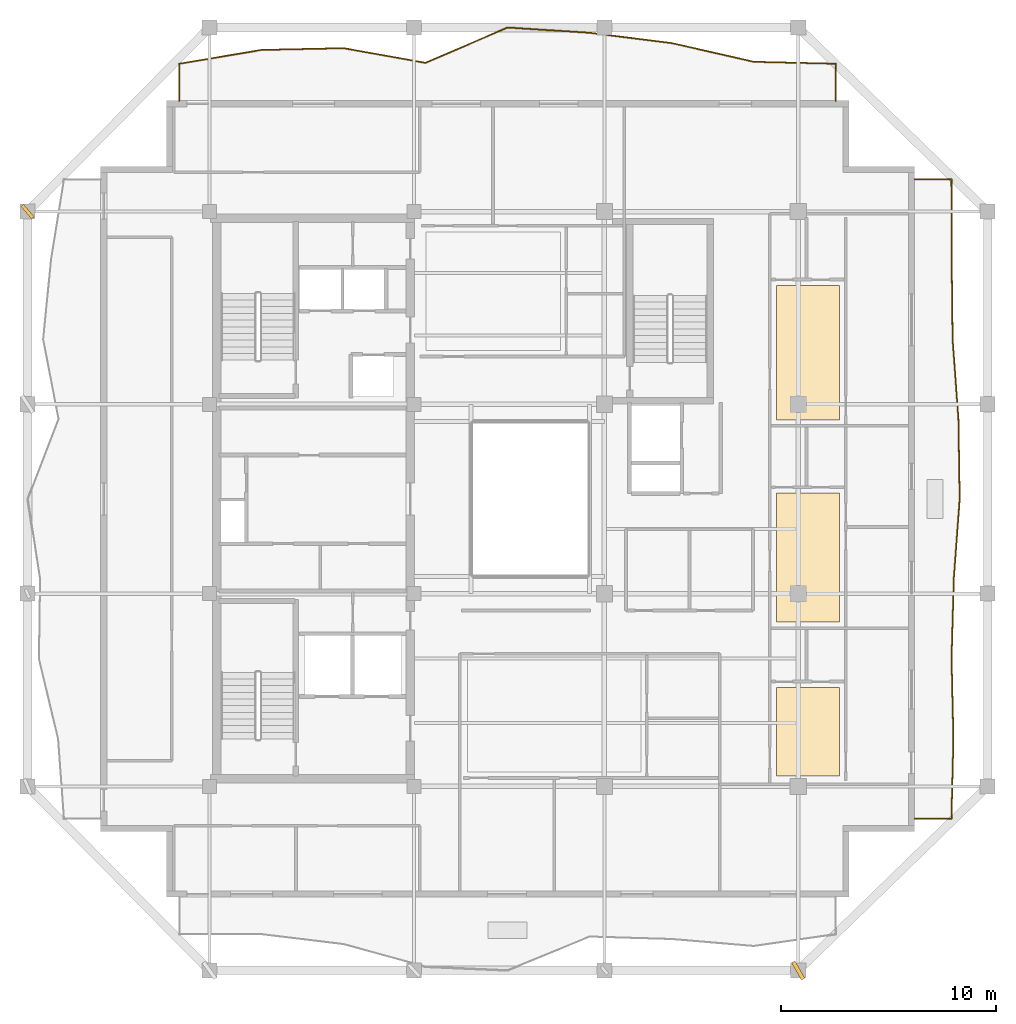
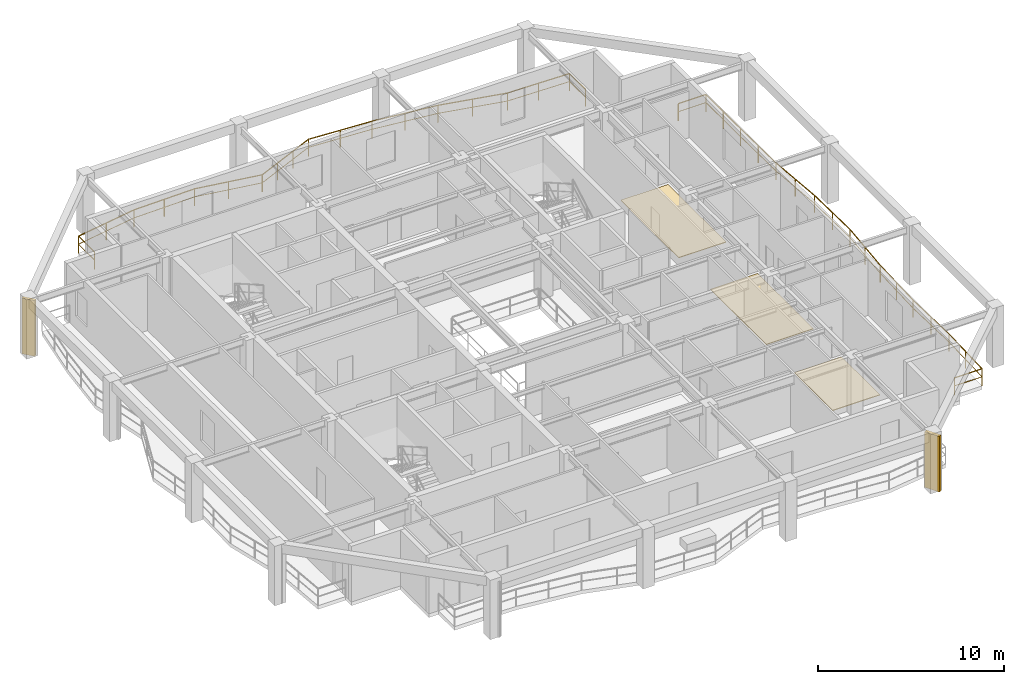
# One storey, part 9 of 10: 3 coverings, 2 railings, 2 shading devices.
"""IFC4 building model written with IfcOpenShell, lengths in metres."""

from ifc_helpers import new_model, si_unit, direction, frame, origin, origin_2d, place, context, subcontext, project, spatial, polyline, rectangle, outline, extrude, material, layer, layer_set, type_object, element, save


model = new_model("IFC4")

# Units and contexts
model_context = context("Model", 3, precision=1e-05, world=origin(), true_north=direction((0.0, 1.0)))
body_context = subcontext(model_context, "Body", "Model", "MODEL_VIEW")
ifc_project = project(units=[si_unit("LENGTHUNIT", "METRE"), si_unit("AREAUNIT", "SQUARE_METRE"), si_unit("VOLUMEUNIT", "CUBIC_METRE"), si_unit("PLANEANGLEUNIT", "RADIAN"), si_unit("MASSUNIT", "GRAM", prefix="KILO")], contexts=[model_context])

# Site, building, storey
site_placement = place(None, origin())
site = spatial("IfcSite", under=ifc_project, at=site_placement, CompositionType="ELEMENT")
building_placement = place(site_placement, origin())
building = spatial("IfcBuilding", under=site, at=building_placement, Name="Kundavana Baori Tower", CompositionType="ELEMENT")
storey_placement = place(building_placement, frame((0.0, 0.0, 284.300048828125)))
storey = spatial("IfcBuildingStorey", under=building, at=storey_placement, Name="L70", CompositionType="ELEMENT", Elevation=284.300048828125)

# Coverings
ifc_material_1 = material(Name="Honed Kota Stone and Terrazzo Flooring", Category="masonry")
ifc_layer = layer(ifc_material_1, 0.0400390625, Name="COV-FLR-TERR-40")
ifc_layer_set = layer_set([ifc_layer], Name="Honed Kota Stone and Terrazzo Flooring")
covering_type = type_object("IfcCoveringType", Name="COV-FLR-TERR-40", PredefinedType="FLOORING", material=ifc_layer_set)
covering_1_placement = place(storey_placement, origin())
element("IfcCovering", 1, at=covering_1_placement, inside=storey, type_object=covering_type, Name="L70 Room Finished Stone Flooring 3", PredefinedType="FLOORING", context=body_context, shape_type="SweptSolid", body=[
    extrude(outline(polyline([(41.780029296875, 15.72998046875), (44.719970703125, 15.72998046875), (44.719970703125, 19.840087890625), (41.780029296875, 19.840087890625), (41.780029296875, 15.72998046875)])), origin(), (0.0, 0.0, 1.0), 0.0400390625),
])
covering_2_placement = place(storey_placement, origin())
element("IfcCovering", 2, at=covering_2_placement, inside=storey, type_object=covering_type, Name="L70 Room Finished Stone Flooring 4", PredefinedType="FLOORING", context=body_context, shape_type="SweptSolid", body=[
    extrude(outline(polyline([(41.780029296875, 22.8798828125), (44.719970703125, 22.8798828125), (44.719970703125, 28.8701171875), (41.780029296875, 28.8701171875), (41.780029296875, 22.8798828125)])), origin(), (0.0, 0.0, 1.0), 0.0400390625),
])
covering_3_placement = place(storey_placement, origin())
element("IfcCovering", 3, at=covering_3_placement, inside=storey, type_object=covering_type, Name="L70 Room Finished Stone Flooring 5", PredefinedType="FLOORING", context=body_context, shape_type="SweptSolid", body=[
    extrude(outline(polyline([(41.780029296875, 32.280029296875), (44.719970703125, 32.280029296875), (44.719970703125, 38.510009765625), (41.780029296875, 38.510009765625), (41.780029296875, 32.280029296875)])), origin(), (0.0, 0.0, 1.0), 0.0400390625),
])

# Railings
ifc_material_2 = material(Name="Architectural Patinated Bronze Metalwork")
railing_type = type_object("IfcRailingType", Name="RL-BAL-1150", PredefinedType="BALUSTRADE", material=ifc_material_2)
railing_1_placement = place(storey_placement, frame((48.199951171875, 43.449951171875, 0.0)))
element("IfcRailing", 4, at=railing_1_placement, inside=storey, type_object=railing_type, Name="L70 Loggia Balcony Balustrade E", PredefinedType="BALUSTRADE", context=body_context, shape_type="SweptSolid", body=[
    extrude(rectangle(XDim=0.048095703125, YDim=0.048095703125, at=origin_2d()), frame((0.0, 0.0, 1.1259765625), z_axis=(1.0, 0.0, 0.0), x_axis=(0.0, 1.0, 0.0)), (0.0, 0.0, 1.0), 1.719970703125),
    extrude(rectangle(XDim=0.03125, YDim=0.03125, at=origin_2d()), frame((0.0, 0.0, 0.597900390625), z_axis=(1.0, 0.0, 0.0), x_axis=(0.0, 1.0, 0.0)), (0.0, 0.0, 1.0), 1.719970703125),
    extrude(rectangle(XDim=0.048095703125, YDim=0.048095703125, at=origin_2d()), frame((1.719970703125, 0.0, 1.1259765625), z_axis=(0.002959734471, -0.999995619976, 0.0), x_axis=(0.999995619976, 0.002959734471, 0.0)), (0.0, 0.0, 1.0), 3.7119140625),
    extrude(rectangle(XDim=0.03125, YDim=0.03125, at=origin_2d()), frame((1.719970703125, 0.0, 0.597900390625), z_axis=(0.002959734471, -0.999995619976, 0.0), x_axis=(0.999995619976, 0.002959734471, 0.0)), (0.0, 0.0, 1.0), 3.7119140625),
    extrude(rectangle(XDim=0.048095703125, YDim=0.048095703125, at=origin_2d()), frame((1.73095703125, -3.7119140625, 1.1259765625), z_axis=(0.011900005512, -0.999929192428, 0.0), x_axis=(0.999929192428, 0.011900005512, 0.0)), (0.0, 0.0, 1.0), 3.71337890625),
    extrude(rectangle(XDim=0.03125, YDim=0.03125, at=origin_2d()), frame((1.73095703125, -3.7119140625, 0.597900390625), z_axis=(0.011900005512, -0.999929192428, 0.0), x_axis=(0.999929192428, 0.011900005512, 0.0)), (0.0, 0.0, 1.0), 3.71337890625),
    extrude(rectangle(XDim=0.048095703125, YDim=0.048095703125, at=origin_2d()), frame((1.775146484375, -7.425048828125, 1.1259765625), z_axis=(0.072533323538, -0.997365989483, 0.0), x_axis=(0.997365989483, 0.072533323538, 0.0)), (0.0, 0.0, 1.0), 3.72265625),
    extrude(rectangle(XDim=0.03125, YDim=0.03125, at=origin_2d()), frame((1.775146484375, -7.425048828125, 0.597900390625), z_axis=(0.072533323538, -0.997365989483, 0.0), x_axis=(0.997365989483, 0.072533323538, 0.0)), (0.0, 0.0, 1.0), 3.72265625),
    extrude(rectangle(XDim=0.048095703125, YDim=0.048095703125, at=origin_2d()), frame((2.045166015625, -11.137939453125, 1.1259765625), z_axis=(0.015849100843, -0.999874395113, 0.0), x_axis=(0.999874395113, 0.015849100843, 0.0)), (0.0, 0.0, 1.0), 3.71240234375),
    extrude(rectangle(XDim=0.03125, YDim=0.03125, at=origin_2d()), frame((2.045166015625, -11.137939453125, 0.597900390625), z_axis=(0.015849100843, -0.999874395113, 0.0), x_axis=(0.999874395113, 0.015849100843, 0.0)), (0.0, 0.0, 1.0), 3.71240234375),
    extrude(rectangle(XDim=0.048095703125, YDim=0.048095703125, at=origin_2d()), frame((2.10400390625, -14.849853515625, 1.1259765625), z_axis=(-0.073591428383, -0.997288474649, 0.0), x_axis=(0.997288474649, -0.073591428383, 0.0)), (0.0, 0.0, 1.0), 3.72216796875),
    extrude(rectangle(XDim=0.03125, YDim=0.03125, at=origin_2d()), frame((2.10400390625, -14.849853515625, 0.597900390625), z_axis=(-0.073591428383, -0.997288474649, 0.0), x_axis=(0.997288474649, -0.073591428383, 0.0)), (0.0, 0.0, 1.0), 3.72216796875),
    extrude(rectangle(XDim=0.048095703125, YDim=0.048095703125, at=origin_2d()), frame((1.830078125, -18.56201171875, 1.1259765625), z_axis=(-0.028000589704, -0.99960790662, 0.0), x_axis=(0.99960790662, -0.028000589704, 0.0)), (0.0, 0.0, 1.0), 3.71435546875),
    extrude(rectangle(XDim=0.03125, YDim=0.03125, at=origin_2d()), frame((1.830078125, -18.56201171875, 0.597900390625), z_axis=(-0.028000589704, -0.99960790662, 0.0), x_axis=(0.99960790662, -0.028000589704, 0.0)), (0.0, 0.0, 1.0), 3.71435546875),
    extrude(rectangle(XDim=0.048095703125, YDim=0.048095703125, at=origin_2d()), frame((1.72607421875, -22.27490234375, 1.1259765625), z_axis=(0.023137994794, -0.999732280762, 0.0), x_axis=(0.999732280762, 0.023137994794, 0.0)), (0.0, 0.0, 1.0), 3.714111328125),
    extrude(rectangle(XDim=0.03125, YDim=0.03125, at=origin_2d()), frame((1.72607421875, -22.27490234375, 0.597900390625), z_axis=(0.023137994794, -0.999732280762, 0.0), x_axis=(0.999732280762, 0.023137994794, 0.0)), (0.0, 0.0, 1.0), 3.714111328125),
    extrude(rectangle(XDim=0.048095703125, YDim=0.048095703125, at=origin_2d()), frame((1.81201171875, -25.988037109375, 1.1259765625), z_axis=(-0.024788486897, -0.999692718248, 0.0), x_axis=(0.999692718248, -0.024788486897, 0.0)), (0.0, 0.0, 1.0), 3.713134765625),
    extrude(rectangle(XDim=0.03125, YDim=0.03125, at=origin_2d()), frame((1.81201171875, -25.988037109375, 0.597900390625), z_axis=(-0.024788486897, -0.999692718248, 0.0), x_axis=(0.999692718248, -0.024788486897, 0.0)), (0.0, 0.0, 1.0), 3.713134765625),
    extrude(rectangle(XDim=0.048095703125, YDim=0.048095703125, at=origin_2d()), frame((1.719970703125, -29.699951171875, 1.1259765625), z_axis=(-1.0, 0.0, 0.0), x_axis=(0.0, -1.0, 0.0)), (0.0, 0.0, 1.0), 1.719970703125),
    extrude(rectangle(XDim=0.03125, YDim=0.03125, at=origin_2d()), frame((1.719970703125, -29.699951171875, 0.597900390625), z_axis=(-1.0, 0.0, 0.0), x_axis=(0.0, -1.0, 0.0)), (0.0, 0.0, 1.0), 1.719970703125),
    extrude(rectangle(XDim=0.0419921875, YDim=0.0419921875, at=origin_2d()), origin(), (0.0, 0.0, 1.0), 1.101806640625),
    extrude(rectangle(XDim=0.0419921875, YDim=0.0419921875, at=origin_2d()), frame((1.719970703125, 0.0, 0.0)), (0.0, 0.0, 1.0), 1.101806640625),
    extrude(rectangle(XDim=0.0419921875, YDim=0.0419921875, at=origin_2d()), frame((1.7255859375, -1.85595703125, 0.0)), (0.0, 0.0, 1.0), 1.101806640625),
    extrude(rectangle(XDim=0.0419921875, YDim=0.0419921875, at=origin_2d()), frame((1.73095703125, -3.7119140625, 0.0)), (0.0, 0.0, 1.0), 1.101806640625),
    extrude(rectangle(XDim=0.0419921875, YDim=0.0419921875, at=origin_2d()), frame((1.7529296875, -5.568359375, 0.0)), (0.0, 0.0, 1.0), 1.101806640625),
    extrude(rectangle(XDim=0.0419921875, YDim=0.0419921875, at=origin_2d()), frame((1.775146484375, -7.425048828125, 0.0)), (0.0, 0.0, 1.0), 1.101806640625),
    extrude(rectangle(XDim=0.0419921875, YDim=0.0419921875, at=origin_2d()), frame((1.91015625, -9.281494140625, 0.0)), (0.0, 0.0, 1.0), 1.101806640625),
    extrude(rectangle(XDim=0.0419921875, YDim=0.0419921875, at=origin_2d()), frame((2.045166015625, -11.137939453125, 0.0)), (0.0, 0.0, 1.0), 1.101806640625),
    extrude(rectangle(XDim=0.0419921875, YDim=0.0419921875, at=origin_2d()), frame((2.07470703125, -12.993896484375, 0.0)), (0.0, 0.0, 1.0), 1.101806640625),
    extrude(rectangle(XDim=0.0419921875, YDim=0.0419921875, at=origin_2d()), frame((2.10400390625, -14.849853515625, 0.0)), (0.0, 0.0, 1.0), 1.101806640625),
    extrude(rectangle(XDim=0.0419921875, YDim=0.0419921875, at=origin_2d()), frame((1.967041015625, -16.7060546875, 0.0)), (0.0, 0.0, 1.0), 1.101806640625),
    extrude(rectangle(XDim=0.0419921875, YDim=0.0419921875, at=origin_2d()), frame((1.830078125, -18.56201171875, 0.0)), (0.0, 0.0, 1.0), 1.101806640625),
    extrude(rectangle(XDim=0.0419921875, YDim=0.0419921875, at=origin_2d()), frame((1.778076171875, -20.41845703125, 0.0)), (0.0, 0.0, 1.0), 1.101806640625),
    extrude(rectangle(XDim=0.0419921875, YDim=0.0419921875, at=origin_2d()), frame((1.72607421875, -22.27490234375, 0.0)), (0.0, 0.0, 1.0), 1.101806640625),
    extrude(rectangle(XDim=0.0419921875, YDim=0.0419921875, at=origin_2d()), frame((1.76904296875, -24.13134765625, 0.0)), (0.0, 0.0, 1.0), 1.101806640625),
    extrude(rectangle(XDim=0.0419921875, YDim=0.0419921875, at=origin_2d()), frame((1.81201171875, -25.988037109375, 0.0)), (0.0, 0.0, 1.0), 1.101806640625),
    extrude(rectangle(XDim=0.0419921875, YDim=0.0419921875, at=origin_2d()), frame((1.76611328125, -27.843994140625, 0.0)), (0.0, 0.0, 1.0), 1.101806640625),
    extrude(rectangle(XDim=0.0419921875, YDim=0.0419921875, at=origin_2d()), frame((1.719970703125, -29.699951171875, 0.0)), (0.0, 0.0, 1.0), 1.101806640625),
    extrude(rectangle(XDim=0.0419921875, YDim=0.0419921875, at=origin_2d()), frame((0.0, -29.699951171875, 0.0)), (0.0, 0.0, 1.0), 1.101806640625),
])
railing_2_placement = place(storey_placement, frame((14.050048828125, 47.10009765625, 0.0)))
element("IfcRailing", 5, at=railing_2_placement, inside=storey, type_object=railing_type, Name="L70 Loggia Balcony Balustrade N", PredefinedType="BALUSTRADE", context=body_context, shape_type="SweptSolid", body=[
    extrude(rectangle(XDim=0.048095703125, YDim=0.048095703125, at=origin_2d()), frame((0.0, 0.0, 1.1259765625), z_axis=(0.0, 1.0, 0.0), x_axis=(-1.0, 0.0, 0.0)), (0.0, 0.0, 1.0), 1.719970703125),
    extrude(rectangle(XDim=0.03125, YDim=0.03125, at=origin_2d()), frame((0.0, 0.0, 0.597900390625), z_axis=(0.0, 1.0, 0.0), x_axis=(-1.0, 0.0, 0.0)), (0.0, 0.0, 1.0), 1.719970703125),
    extrude(rectangle(XDim=0.048095703125, YDim=0.048095703125, at=origin_2d()), frame((0.0, 1.719970703125, 1.1259765625), z_axis=(0.986167730818, 0.165750434972, 0.0), x_axis=(-0.165750434972, 0.986167730818, 0.0)), (0.0, 0.0, 1.0), 3.866455078125),
    extrude(rectangle(XDim=0.03125, YDim=0.03125, at=origin_2d()), frame((0.0, 1.719970703125, 0.597900390625), z_axis=(0.986167730818, 0.165750434972, 0.0), x_axis=(-0.165750434972, 0.986167730818, 0.0)), (0.0, 0.0, 1.0), 3.866455078125),
    extrude(rectangle(XDim=0.048095703125, YDim=0.048095703125, at=origin_2d()), frame((3.81298828125, 2.36083984375, 1.1259765625), z_axis=(0.999763001784, 0.021770169118, 0.0), x_axis=(-0.021770169118, 0.999763001784, 0.0)), (0.0, 0.0, 1.0), 3.81298828125),
    extrude(rectangle(XDim=0.03125, YDim=0.03125, at=origin_2d()), frame((3.81298828125, 2.36083984375, 0.597900390625), z_axis=(0.999763001784, 0.021770169118, 0.0), x_axis=(-0.021770169118, 0.999763001784, 0.0)), (0.0, 0.0, 1.0), 3.81298828125),
    extrude(rectangle(XDim=0.048095703125, YDim=0.048095703125, at=origin_2d()), frame((7.625, 2.44384765625, 1.1259765625), z_axis=(0.984375319787, -0.176083019608, 0.0), x_axis=(0.176083019608, 0.984375319787, 0.0)), (0.0, 0.0, 1.0), 3.87255859375),
    extrude(rectangle(XDim=0.03125, YDim=0.03125, at=origin_2d()), frame((7.625, 2.44384765625, 0.597900390625), z_axis=(0.984375319787, -0.176083019608, 0.0), x_axis=(0.176083019608, 0.984375319787, 0.0)), (0.0, 0.0, 1.0), 3.87255859375),
    extrude(rectangle(XDim=0.048095703125, YDim=0.048095703125, at=origin_2d()), frame((11.43701171875, 1.761962890625, 1.1259765625), z_axis=(0.918813022516, 0.394693082857, 0.0), x_axis=(-0.394693082857, 0.918813022516, 0.0)), (0.0, 0.0, 1.0), 4.14990234375),
    extrude(rectangle(XDim=0.03125, YDim=0.03125, at=origin_2d()), frame((11.43701171875, 1.761962890625, 0.597900390625), z_axis=(0.918813022516, 0.394693082857, 0.0), x_axis=(-0.394693082857, 0.918813022516, 0.0)), (0.0, 0.0, 1.0), 4.14990234375),
    extrude(rectangle(XDim=0.048095703125, YDim=0.048095703125, at=origin_2d()), frame((15.25, 3.39990234375, 1.1259765625), z_axis=(0.997975734073, -0.063595866236, 0.0), x_axis=(0.063595866236, 0.997975734073, 0.0)), (0.0, 0.0, 1.0), 3.81982421875),
    extrude(rectangle(XDim=0.03125, YDim=0.03125, at=origin_2d()), frame((15.25, 3.39990234375, 0.597900390625), z_axis=(0.997975734073, -0.063595866236, 0.0), x_axis=(0.063595866236, 0.997975734073, 0.0)), (0.0, 0.0, 1.0), 3.81982421875),
    extrude(rectangle(XDim=0.048095703125, YDim=0.048095703125, at=origin_2d()), frame((19.06201171875, 3.156982421875, 1.1259765625), z_axis=(0.992232850866, -0.124394411704, 0.0), x_axis=(0.124394411704, 0.992232850866, 0.0)), (0.0, 0.0, 1.0), 3.8427734375),
    extrude(rectangle(XDim=0.03125, YDim=0.03125, at=origin_2d()), frame((19.06201171875, 3.156982421875, 0.597900390625), z_axis=(0.992232850866, -0.124394411704, 0.0), x_axis=(0.124394411704, 0.992232850866, 0.0)), (0.0, 0.0, 1.0), 3.8427734375),
    extrude(rectangle(XDim=0.048095703125, YDim=0.048095703125, at=origin_2d()), frame((22.875, 2.678955078125, 1.1259765625), z_axis=(0.975033383813, -0.222058326684, 0.0), x_axis=(0.222058326684, 0.975033383813, 0.0)), (0.0, 0.0, 1.0), 3.90966796875),
    extrude(rectangle(XDim=0.03125, YDim=0.03125, at=origin_2d()), frame((22.875, 2.678955078125, 0.597900390625), z_axis=(0.975033383813, -0.222058326684, 0.0), x_axis=(0.222058326684, 0.975033383813, 0.0)), (0.0, 0.0, 1.0), 3.90966796875),
    extrude(rectangle(XDim=0.048095703125, YDim=0.048095703125, at=origin_2d()), frame((26.68701171875, 1.810791015625, 1.1259765625), z_axis=(0.999716456103, -0.023811917126, 0.0), x_axis=(0.023811917126, 0.999716456103, 0.0)), (0.0, 0.0, 1.0), 3.81396484375),
    extrude(rectangle(XDim=0.03125, YDim=0.03125, at=origin_2d()), frame((26.68701171875, 1.810791015625, 0.597900390625), z_axis=(0.999716456103, -0.023811917126, 0.0), x_axis=(0.023811917126, 0.999716456103, 0.0)), (0.0, 0.0, 1.0), 3.81396484375),
    extrude(rectangle(XDim=0.048095703125, YDim=0.048095703125, at=origin_2d()), frame((30.5, 1.719970703125, 1.1259765625), z_axis=(0.0, -1.0, 0.0), x_axis=(1.0, 0.0, 0.0)), (0.0, 0.0, 1.0), 1.719970703125),
    extrude(rectangle(XDim=0.03125, YDim=0.03125, at=origin_2d()), frame((30.5, 1.719970703125, 0.597900390625), z_axis=(0.0, -1.0, 0.0), x_axis=(1.0, 0.0, 0.0)), (0.0, 0.0, 1.0), 1.719970703125),
    extrude(rectangle(XDim=0.0419921875, YDim=0.0419921875, at=origin_2d()), origin(), (0.0, 0.0, 1.0), 1.101806640625),
    extrude(rectangle(XDim=0.0419921875, YDim=0.0419921875, at=origin_2d()), frame((0.0, 1.719970703125, 0.0)), (0.0, 0.0, 1.0), 1.101806640625),
    extrude(rectangle(XDim=0.0419921875, YDim=0.0419921875, at=origin_2d()), frame((1.906494140625, 2.04052734375, 0.0)), (0.0, 0.0, 1.0), 1.101806640625),
    extrude(rectangle(XDim=0.0419921875, YDim=0.0419921875, at=origin_2d()), frame((3.81298828125, 2.36083984375, 0.0)), (0.0, 0.0, 1.0), 1.101806640625),
    extrude(rectangle(XDim=0.0419921875, YDim=0.0419921875, at=origin_2d()), frame((5.718994140625, 2.40234375, 0.0)), (0.0, 0.0, 1.0), 1.101806640625),
    extrude(rectangle(XDim=0.0419921875, YDim=0.0419921875, at=origin_2d()), frame((7.625, 2.44384765625, 0.0)), (0.0, 0.0, 1.0), 1.101806640625),
    extrude(rectangle(XDim=0.0419921875, YDim=0.0419921875, at=origin_2d()), frame((9.531005859375, 2.10302734375, 0.0)), (0.0, 0.0, 1.0), 1.101806640625),
    extrude(rectangle(XDim=0.0419921875, YDim=0.0419921875, at=origin_2d()), frame((11.43701171875, 1.761962890625, 0.0)), (0.0, 0.0, 1.0), 1.101806640625),
    extrude(rectangle(XDim=0.0419921875, YDim=0.0419921875, at=origin_2d()), frame((12.7080078125, 2.307861328125, 0.0)), (0.0, 0.0, 1.0), 1.101806640625),
    extrude(rectangle(XDim=0.0419921875, YDim=0.0419921875, at=origin_2d()), frame((13.97900390625, 2.85400390625, 0.0)), (0.0, 0.0, 1.0), 1.101806640625),
    extrude(rectangle(XDim=0.0419921875, YDim=0.0419921875, at=origin_2d()), frame((15.25, 3.39990234375, 0.0)), (0.0, 0.0, 1.0), 1.101806640625),
    extrude(rectangle(XDim=0.0419921875, YDim=0.0419921875, at=origin_2d()), frame((17.156005859375, 3.2783203125, 0.0)), (0.0, 0.0, 1.0), 1.101806640625),
    extrude(rectangle(XDim=0.0419921875, YDim=0.0419921875, at=origin_2d()), frame((19.06201171875, 3.156982421875, 0.0)), (0.0, 0.0, 1.0), 1.101806640625),
    extrude(rectangle(XDim=0.0419921875, YDim=0.0419921875, at=origin_2d()), frame((20.968505859375, 2.91796875, 0.0)), (0.0, 0.0, 1.0), 1.101806640625),
    extrude(rectangle(XDim=0.0419921875, YDim=0.0419921875, at=origin_2d()), frame((22.875, 2.678955078125, 0.0)), (0.0, 0.0, 1.0), 1.101806640625),
    extrude(rectangle(XDim=0.0419921875, YDim=0.0419921875, at=origin_2d()), frame((24.781005859375, 2.244873046875, 0.0)), (0.0, 0.0, 1.0), 1.101806640625),
    extrude(rectangle(XDim=0.0419921875, YDim=0.0419921875, at=origin_2d()), frame((26.68701171875, 1.810791015625, 0.0)), (0.0, 0.0, 1.0), 1.101806640625),
    extrude(rectangle(XDim=0.0419921875, YDim=0.0419921875, at=origin_2d()), frame((28.593505859375, 1.765380859375, 0.0)), (0.0, 0.0, 1.0), 1.101806640625),
    extrude(rectangle(XDim=0.0419921875, YDim=0.0419921875, at=origin_2d()), frame((30.5, 1.719970703125, 0.0)), (0.0, 0.0, 1.0), 1.101806640625),
    extrude(rectangle(XDim=0.0419921875, YDim=0.0419921875, at=origin_2d()), frame((30.5, 0.0, 0.0)), (0.0, 0.0, 1.0), 1.101806640625),
])

# Shading devices
ifc_material_3 = material(Name="Red-Buff Dholpur Sandstone Cladding on Concrete C40/50", Category="masonry")
shading_device_type_1 = type_object("IfcShadingDeviceType", Name="SHD-FIN-750", PredefinedType="JALOUSIE", material=ifc_material_3)
shading_device_1_placement = place(storey_placement, frame((7.0, 41.949951171875, 0.0), z_axis=(0.0, 0.0, 1.0), x_axis=(0.756538697576, 0.653948926958, 0.0)))
element("IfcShadingDevice", 6, at=shading_device_1_placement, inside=storey, type_object=shading_device_type_1, Name="L70 Sweeping Dholpur Sandstone Facade Fin 8", PredefinedType="JALOUSIE", context=body_context, shape_type="SweptSolid", body=[
    extrude(rectangle(XDim=0.159912109375, YDim=0.75, at=origin_2d()), origin(), (0.0, 0.0, 1.0), 3.659912109375),
])
ifc_material_4 = material(Name="Red-Buff Dholpur Sandstone Cladding on Concrete C40/50", Category="masonry")
shading_device_type_2 = type_object("IfcShadingDeviceType", Name="SHD-FIN-920", PredefinedType="JALOUSIE", material=ifc_material_4)
shading_device_2_placement = place(storey_placement, frame((42.800048828125, 6.699951171875, 0.0), z_axis=(0.0, 0.0, 1.0), x_axis=(0.868112195148, 0.496368025395, 0.0)))
element("IfcShadingDevice", 7, at=shading_device_2_placement, inside=storey, type_object=shading_device_type_2, Name="L70 Sweeping Dholpur Sandstone Facade Fin 4", PredefinedType="JALOUSIE", context=body_context, shape_type="SweptSolid", body=[
    extrude(rectangle(XDim=0.179931640625, YDim=0.919921875, at=origin_2d()), origin(), (0.0, 0.0, 1.0), 3.659912109375),
])

save(model, "model.ifc")
